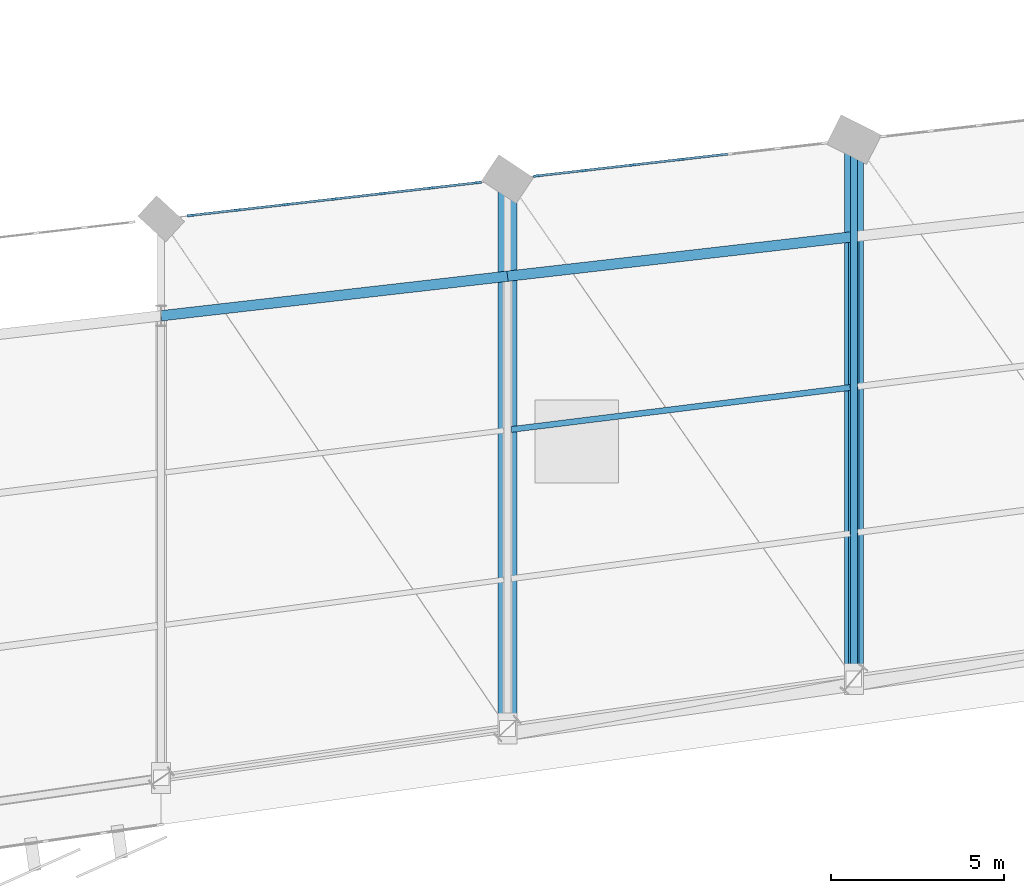
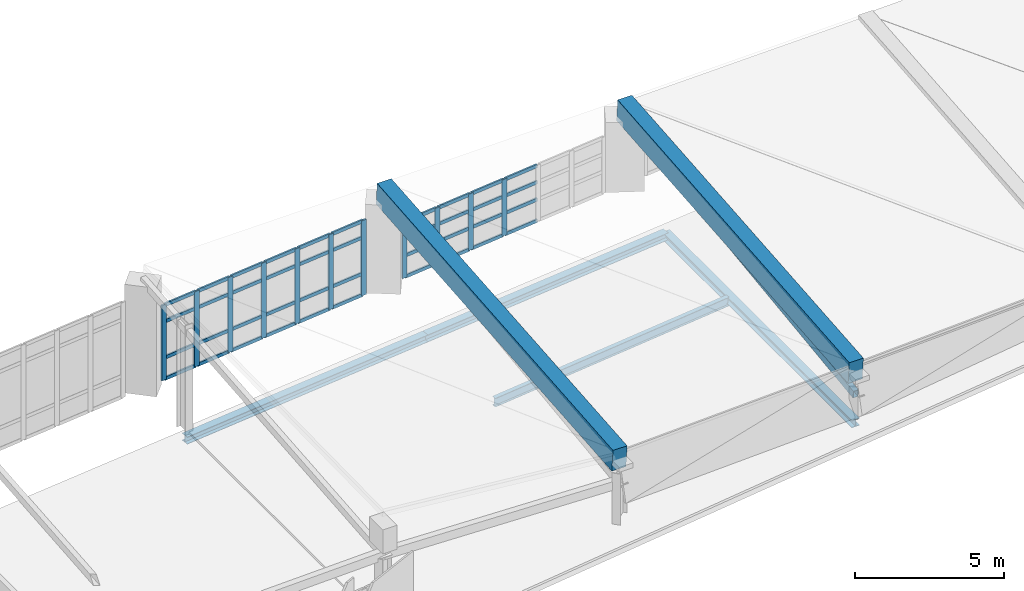
# One storey, part 25 of 67: 52 members, 6 beams, 2 elements without a shape of their own.
"""IFC4 building model written with IfcOpenShell, lengths in metres."""

from ifc_helpers import new_model, si_unit, direction, frame, origin, origin_2d, place, context, subcontext, project, spatial, rectangle, hollow_rectangle, i_section, extrude, material, layer, layer_set, material_profile, profile_set, type_object, element, aggregate, save


model = new_model("IFC4")

# Units and contexts
model_context = context("Model", 3, precision=1e-05, world=origin(), true_north=direction((0.0, 1.0)))
body_context = subcontext(model_context, "Body", "Model", "MODEL_VIEW")
ifc_project = project(units=[si_unit("LENGTHUNIT", "METRE"), si_unit("AREAUNIT", "SQUARE_METRE"), si_unit("VOLUMEUNIT", "CUBIC_METRE"), si_unit("PLANEANGLEUNIT", "RADIAN"), si_unit("MASSUNIT", "GRAM", prefix="KILO")], contexts=[model_context])

# Site, building, storey
site_placement = place(None, origin())
site = spatial("IfcSite", under=ifc_project, at=site_placement, CompositionType="ELEMENT")
building_placement = place(site_placement, origin())
building = spatial("IfcBuilding", under=site, at=building_placement, Name="Sohan Crest Arena", CompositionType="ELEMENT")
storey_placement = place(building_placement, frame((0.0, 0.0, 22.5)))
storey = spatial("IfcBuildingStorey", under=building, at=storey_placement, Name="L05", CompositionType="ELEMENT", Elevation=22.5)

# Curtain wall, members
ifc_material_1 = material(Name="Thermally broken anodised aluminium", Category="aluminium")
ifc_layer = layer(ifc_material_1, 0.18994140625, Name="Thermally broken anodised aluminium")
ifc_layer_set = layer_set([ifc_layer], Name="Thermally broken anodised aluminium")
curtain_wall_type = type_object("IfcCurtainWallType", Name="ARC-CW05", PredefinedType="NOTDEFINED", material=ifc_layer_set)
curtain_wall_1_placement = place(storey_placement, origin())
curtain_wall_1 = element("IfcCurtainWall", 1, at=curtain_wall_1_placement, inside=storey, type_object=curtain_wall_type, Name="Unitised curtain wall CW-192", PredefinedType="NOTDEFINED")
ifc_material_profile_1 = material_profile(ifc_material_1, rectangle(XDim=0.070068359375, YDim=0.199951171875, at=origin_2d()), Name="ALU-MULL 70x200")
ifc_profile_set_1 = profile_set([ifc_material_profile_1], Name="Thermally broken anodised aluminium")
member_type_1 = type_object("IfcMemberType", Name="ARC-CW-ML03", PredefinedType="MULLION", material=ifc_profile_set_1)
member_1_placement = place(storey_placement, frame((128.849853515625, 50.52587890625, 0.0), z_axis=(0.0, 0.0, 1.0), x_axis=(-0.1134796354, 0.993540322458, 0.0)))
member_1 = element("IfcMember", 2, at=member_1_placement, type_object=member_type_1, Name="CW-192 mullion 1", PredefinedType="MULLION", context=body_context, shape_type="SweptSolid", body=[
    extrude(rectangle(XDim=0.070068359375, YDim=0.199951171875, at=origin_2d()), origin(), (0.0, 0.0, 1.0), 3.0849609375),
])
member_2_placement = place(storey_placement, frame((130.2099609375, 50.681396484375, 0.0), z_axis=(0.0, 0.0, 1.0), x_axis=(-0.1134796354, 0.993540322458, 0.0)))
member_2 = element("IfcMember", 3, at=member_2_placement, type_object=member_type_1, Name="CW-192 mullion 2", PredefinedType="MULLION", context=body_context, shape_type="SweptSolid", body=[
    extrude(rectangle(XDim=0.070068359375, YDim=0.199951171875, at=origin_2d()), origin(), (0.0, 0.0, 1.0), 3.0849609375),
])
member_3_placement = place(storey_placement, frame((131.60498046875, 50.840576171875, 0.0), z_axis=(0.0, 0.0, 1.0), x_axis=(-0.1134796354, 0.993540322458, 0.0)))
member_3 = element("IfcMember", 4, at=member_3_placement, type_object=member_type_1, Name="CW-192 mullion 3", PredefinedType="MULLION", context=body_context, shape_type="SweptSolid", body=[
    extrude(rectangle(XDim=0.070068359375, YDim=0.199951171875, at=origin_2d()), origin(), (0.0, 0.0, 1.0), 3.0849609375),
])
member_4_placement = place(storey_placement, frame((133.0, 51.0, 0.0), z_axis=(0.0, 0.0, 1.0), x_axis=(-0.1134796354, 0.993540322458, 0.0)))
member_4 = element("IfcMember", 5, at=member_4_placement, type_object=member_type_1, Name="CW-192 mullion 4", PredefinedType="MULLION", context=body_context, shape_type="SweptSolid", body=[
    extrude(rectangle(XDim=0.070068359375, YDim=0.199951171875, at=origin_2d()), origin(), (0.0, 0.0, 1.0), 3.0849609375),
])
member_5_placement = place(storey_placement, frame((134.39501953125, 51.159423828125, 0.0), z_axis=(0.0, 0.0, 1.0), x_axis=(-0.1134796354, 0.993540322458, 0.0)))
member_5 = element("IfcMember", 6, at=member_5_placement, type_object=member_type_1, Name="CW-192 mullion 5", PredefinedType="MULLION", context=body_context, shape_type="SweptSolid", body=[
    extrude(rectangle(XDim=0.070068359375, YDim=0.199951171875, at=origin_2d()), origin(), (0.0, 0.0, 1.0), 3.0849609375),
])
member_6_placement = place(storey_placement, frame((135.7900390625, 51.318603515625, 0.0), z_axis=(0.0, 0.0, 1.0), x_axis=(-0.1134796354, 0.993540322458, 0.0)))
member_6 = element("IfcMember", 7, at=member_6_placement, type_object=member_type_1, Name="CW-192 mullion 6", PredefinedType="MULLION", context=body_context, shape_type="SweptSolid", body=[
    extrude(rectangle(XDim=0.070068359375, YDim=0.199951171875, at=origin_2d()), origin(), (0.0, 0.0, 1.0), 3.0849609375),
])
member_7_placement = place(storey_placement, frame((137.150146484375, 51.47412109375, 0.0), z_axis=(0.0, 0.0, 1.0), x_axis=(-0.1134796354, 0.993540322458, 0.0)))
member_7 = element("IfcMember", 8, at=member_7_placement, type_object=member_type_1, Name="CW-192 mullion 7", PredefinedType="MULLION", context=body_context, shape_type="SweptSolid", body=[
    extrude(rectangle(XDim=0.070068359375, YDim=0.199951171875, at=origin_2d()), origin(), (0.0, 0.0, 1.0), 3.0849609375),
])

curtain_wall_2_placement = place(storey_placement, origin())
curtain_wall_2 = element("IfcCurtainWall", 9, at=curtain_wall_2_placement, inside=storey, type_object=curtain_wall_type, Name="Unitised curtain wall CW-193", PredefinedType="NOTDEFINED")
member_8_placement = place(storey_placement, frame((138.849853515625, 51.66796875, 0.0), z_axis=(0.0, 0.0, 1.0), x_axis=(-0.11359680696, 0.993526932422, 0.0)))
member_8 = element("IfcMember", 10, at=member_8_placement, type_object=member_type_1, Name="CW-193 mullion 1", PredefinedType="MULLION", context=body_context, shape_type="SweptSolid", body=[
    extrude(rectangle(XDim=0.070068359375, YDim=0.199951171875, at=origin_2d()), origin(), (0.0, 0.0, 1.0), 2.31298828125),
])
member_9_placement = place(storey_placement, frame((140.2099609375, 51.823486328125, 0.0), z_axis=(0.0, 0.0, 1.0), x_axis=(-0.11359680696, 0.993526932422, 0.0)))
member_9 = element("IfcMember", 11, at=member_9_placement, type_object=member_type_1, Name="CW-193 mullion 2", PredefinedType="MULLION", context=body_context, shape_type="SweptSolid", body=[
    extrude(rectangle(XDim=0.070068359375, YDim=0.199951171875, at=origin_2d()), origin(), (0.0, 0.0, 1.0), 2.31298828125),
])
member_10_placement = place(storey_placement, frame((141.60498046875, 51.98291015625, 0.0), z_axis=(0.0, 0.0, 1.0), x_axis=(-0.11359680696, 0.993526932422, 0.0)))
member_10 = element("IfcMember", 12, at=member_10_placement, type_object=member_type_1, Name="CW-193 mullion 3", PredefinedType="MULLION", context=body_context, shape_type="SweptSolid", body=[
    extrude(rectangle(XDim=0.070068359375, YDim=0.199951171875, at=origin_2d()), origin(), (0.0, 0.0, 1.0), 2.31298828125),
])
member_11_placement = place(storey_placement, frame((143.0, 52.142578125, 0.0), z_axis=(0.0, 0.0, 1.0), x_axis=(-0.11359680696, 0.993526932422, 0.0)))
member_11 = element("IfcMember", 13, at=member_11_placement, type_object=member_type_1, Name="CW-193 mullion 4", PredefinedType="MULLION", context=body_context, shape_type="SweptSolid", body=[
    extrude(rectangle(XDim=0.070068359375, YDim=0.199951171875, at=origin_2d()), origin(), (0.0, 0.0, 1.0), 2.31298828125),
])

# Member
ifc_material_profile_2 = material_profile(ifc_material_1, rectangle(XDim=0.06494140625, YDim=0.139892578125, at=origin_2d()), Name="ALU-TRAN 65x140")
ifc_profile_set_2 = profile_set([ifc_material_profile_2], Name="Thermally broken anodised aluminium")
member_type_2 = type_object("IfcMemberType", Name="ARC-CW-TR02", PredefinedType="USERDEFINED", material=ifc_profile_set_2)
member_12_placement = place(storey_placement, frame((128.884521484375, 50.530029296875, 0.032470703125), z_axis=(0.993558692508, 0.113318685754, 0.0), x_axis=(-0.113318685754, 0.993558692508, 0.0)))
member_12 = element("IfcMember", 14, at=member_12_placement, type_object=member_type_2, Name="CW-192 transom 1.1", ObjectType="TRANSOM", PredefinedType="USERDEFINED", context=body_context, shape_type="SweptSolid", body=[
    extrude(rectangle(XDim=0.06494140625, YDim=0.139892578125, at=origin_2d()), origin(), (0.0, 0.0, 1.0), 1.299072265625),
])

member_13_placement = place(storey_placement, frame((128.884521484375, 50.530029296875, 0.89990234375), z_axis=(0.993558692508, 0.113318685754, 0.0), x_axis=(-0.113318685754, 0.993558692508, 0.0)))
member_13 = element("IfcMember", 15, at=member_13_placement, type_object=member_type_2, Name="CW-192 transom 1.2", ObjectType="TRANSOM", PredefinedType="USERDEFINED", context=body_context, shape_type="SweptSolid", body=[
    extrude(rectangle(XDim=0.06494140625, YDim=0.139892578125, at=origin_2d()), origin(), (0.0, 0.0, 1.0), 1.299072265625),
])

member_14_placement = place(storey_placement, frame((128.884521484375, 50.530029296875, 2.385009765625), z_axis=(0.993558692508, 0.113318685754, 0.0), x_axis=(-0.113318685754, 0.993558692508, 0.0)))
member_14 = element("IfcMember", 16, at=member_14_placement, type_object=member_type_2, Name="CW-192 transom 1.3", ObjectType="TRANSOM", PredefinedType="USERDEFINED", context=body_context, shape_type="SweptSolid", body=[
    extrude(rectangle(XDim=0.06494140625, YDim=0.139892578125, at=origin_2d()), origin(), (0.0, 0.0, 1.0), 1.299072265625),
])

member_15_placement = place(storey_placement, frame((128.884521484375, 50.530029296875, 3.052490234375), z_axis=(0.993558692508, 0.113318685754, 0.0), x_axis=(-0.113318685754, 0.993558692508, 0.0)))
member_15 = element("IfcMember", 17, at=member_15_placement, type_object=member_type_2, Name="CW-192 transom 1.4", ObjectType="TRANSOM", PredefinedType="USERDEFINED", context=body_context, shape_type="SweptSolid", body=[
    extrude(rectangle(XDim=0.06494140625, YDim=0.139892578125, at=origin_2d()), origin(), (0.0, 0.0, 1.0), 1.299072265625),
])

member_16_placement = place(storey_placement, frame((130.244873046875, 50.685302734375, 0.032470703125), z_axis=(0.993542107108, 0.113464009285, 0.0), x_axis=(-0.113464009285, 0.993542107108, 0.0)))
member_16 = element("IfcMember", 18, at=member_16_placement, type_object=member_type_2, Name="CW-192 transom 2.1", ObjectType="TRANSOM", PredefinedType="USERDEFINED", context=body_context, shape_type="SweptSolid", body=[
    extrude(rectangle(XDim=0.06494140625, YDim=0.139892578125, at=origin_2d()), origin(), (0.0, 0.0, 1.0), 1.333984375),
])

member_17_placement = place(storey_placement, frame((130.244873046875, 50.685302734375, 0.89990234375), z_axis=(0.993542107108, 0.113464009285, 0.0), x_axis=(-0.113464009285, 0.993542107108, 0.0)))
member_17 = element("IfcMember", 19, at=member_17_placement, type_object=member_type_2, Name="CW-192 transom 2.2", ObjectType="TRANSOM", PredefinedType="USERDEFINED", context=body_context, shape_type="SweptSolid", body=[
    extrude(rectangle(XDim=0.06494140625, YDim=0.139892578125, at=origin_2d()), origin(), (0.0, 0.0, 1.0), 1.333984375),
])

member_18_placement = place(storey_placement, frame((130.244873046875, 50.685302734375, 2.385009765625), z_axis=(0.993542107108, 0.113464009285, 0.0), x_axis=(-0.113464009285, 0.993542107108, 0.0)))
member_18 = element("IfcMember", 20, at=member_18_placement, type_object=member_type_2, Name="CW-192 transom 2.3", ObjectType="TRANSOM", PredefinedType="USERDEFINED", context=body_context, shape_type="SweptSolid", body=[
    extrude(rectangle(XDim=0.06494140625, YDim=0.139892578125, at=origin_2d()), origin(), (0.0, 0.0, 1.0), 1.333984375),
])

member_19_placement = place(storey_placement, frame((130.244873046875, 50.685302734375, 3.052490234375), z_axis=(0.993542107108, 0.113464009285, 0.0), x_axis=(-0.113464009285, 0.993542107108, 0.0)))
member_19 = element("IfcMember", 21, at=member_19_placement, type_object=member_type_2, Name="CW-192 transom 2.4", ObjectType="TRANSOM", PredefinedType="USERDEFINED", context=body_context, shape_type="SweptSolid", body=[
    extrude(rectangle(XDim=0.06494140625, YDim=0.139892578125, at=origin_2d()), origin(), (0.0, 0.0, 1.0), 1.333984375),
])

member_20_placement = place(storey_placement, frame((131.639892578125, 50.8447265625, 0.032470703125), z_axis=(0.993542107108, 0.113464009285, 0.0), x_axis=(-0.113464009285, 0.993542107108, 0.0)))
member_20 = element("IfcMember", 22, at=member_20_placement, type_object=member_type_2, Name="CW-192 transom 3.1", ObjectType="TRANSOM", PredefinedType="USERDEFINED", context=body_context, shape_type="SweptSolid", body=[
    extrude(rectangle(XDim=0.06494140625, YDim=0.139892578125, at=origin_2d()), origin(), (0.0, 0.0, 1.0), 1.333984375),
])

member_21_placement = place(storey_placement, frame((131.639892578125, 50.8447265625, 0.89990234375), z_axis=(0.993542107108, 0.113464009285, 0.0), x_axis=(-0.113464009285, 0.993542107108, 0.0)))
member_21 = element("IfcMember", 23, at=member_21_placement, type_object=member_type_2, Name="CW-192 transom 3.2", ObjectType="TRANSOM", PredefinedType="USERDEFINED", context=body_context, shape_type="SweptSolid", body=[
    extrude(rectangle(XDim=0.06494140625, YDim=0.139892578125, at=origin_2d()), origin(), (0.0, 0.0, 1.0), 1.333984375),
])

member_22_placement = place(storey_placement, frame((131.639892578125, 50.8447265625, 2.385009765625), z_axis=(0.993542107108, 0.113464009285, 0.0), x_axis=(-0.113464009285, 0.993542107108, 0.0)))
member_22 = element("IfcMember", 24, at=member_22_placement, type_object=member_type_2, Name="CW-192 transom 3.3", ObjectType="TRANSOM", PredefinedType="USERDEFINED", context=body_context, shape_type="SweptSolid", body=[
    extrude(rectangle(XDim=0.06494140625, YDim=0.139892578125, at=origin_2d()), origin(), (0.0, 0.0, 1.0), 1.333984375),
])

member_23_placement = place(storey_placement, frame((131.639892578125, 50.8447265625, 3.052490234375), z_axis=(0.993542107108, 0.113464009285, 0.0), x_axis=(-0.113464009285, 0.993542107108, 0.0)))
member_23 = element("IfcMember", 25, at=member_23_placement, type_object=member_type_2, Name="CW-192 transom 3.4", ObjectType="TRANSOM", PredefinedType="USERDEFINED", context=body_context, shape_type="SweptSolid", body=[
    extrude(rectangle(XDim=0.06494140625, YDim=0.139892578125, at=origin_2d()), origin(), (0.0, 0.0, 1.0), 1.333984375),
])

member_24_placement = place(storey_placement, frame((133.03466796875, 51.00390625, 0.032470703125), z_axis=(0.993542107108, 0.113464009285, 0.0), x_axis=(-0.113464009285, 0.993542107108, 0.0)))
member_24 = element("IfcMember", 26, at=member_24_placement, type_object=member_type_2, Name="CW-192 transom 4.1", ObjectType="TRANSOM", PredefinedType="USERDEFINED", context=body_context, shape_type="SweptSolid", body=[
    extrude(rectangle(XDim=0.06494140625, YDim=0.139892578125, at=origin_2d()), origin(), (0.0, 0.0, 1.0), 1.333984375),
])

member_25_placement = place(storey_placement, frame((133.03466796875, 51.00390625, 0.89990234375), z_axis=(0.993542107108, 0.113464009285, 0.0), x_axis=(-0.113464009285, 0.993542107108, 0.0)))
member_25 = element("IfcMember", 27, at=member_25_placement, type_object=member_type_2, Name="CW-192 transom 4.2", ObjectType="TRANSOM", PredefinedType="USERDEFINED", context=body_context, shape_type="SweptSolid", body=[
    extrude(rectangle(XDim=0.06494140625, YDim=0.139892578125, at=origin_2d()), origin(), (0.0, 0.0, 1.0), 1.333984375),
])

member_26_placement = place(storey_placement, frame((133.03466796875, 51.00390625, 2.385009765625), z_axis=(0.993542107108, 0.113464009285, 0.0), x_axis=(-0.113464009285, 0.993542107108, 0.0)))
member_26 = element("IfcMember", 28, at=member_26_placement, type_object=member_type_2, Name="CW-192 transom 4.3", ObjectType="TRANSOM", PredefinedType="USERDEFINED", context=body_context, shape_type="SweptSolid", body=[
    extrude(rectangle(XDim=0.06494140625, YDim=0.139892578125, at=origin_2d()), origin(), (0.0, 0.0, 1.0), 1.333984375),
])

member_27_placement = place(storey_placement, frame((133.03466796875, 51.00390625, 3.052490234375), z_axis=(0.993542107108, 0.113464009285, 0.0), x_axis=(-0.113464009285, 0.993542107108, 0.0)))
member_27 = element("IfcMember", 29, at=member_27_placement, type_object=member_type_2, Name="CW-192 transom 4.4", ObjectType="TRANSOM", PredefinedType="USERDEFINED", context=body_context, shape_type="SweptSolid", body=[
    extrude(rectangle(XDim=0.06494140625, YDim=0.139892578125, at=origin_2d()), origin(), (0.0, 0.0, 1.0), 1.333984375),
])

member_28_placement = place(storey_placement, frame((134.4296875, 51.163330078125, 0.032470703125), z_axis=(0.993542107108, 0.113464009285, 0.0), x_axis=(-0.113464009285, 0.993542107108, 0.0)))
member_28 = element("IfcMember", 30, at=member_28_placement, type_object=member_type_2, Name="CW-192 transom 5.1", ObjectType="TRANSOM", PredefinedType="USERDEFINED", context=body_context, shape_type="SweptSolid", body=[
    extrude(rectangle(XDim=0.06494140625, YDim=0.139892578125, at=origin_2d()), origin(), (0.0, 0.0, 1.0), 1.333984375),
])

member_29_placement = place(storey_placement, frame((134.4296875, 51.163330078125, 0.89990234375), z_axis=(0.993542107108, 0.113464009285, 0.0), x_axis=(-0.113464009285, 0.993542107108, 0.0)))
member_29 = element("IfcMember", 31, at=member_29_placement, type_object=member_type_2, Name="CW-192 transom 5.2", ObjectType="TRANSOM", PredefinedType="USERDEFINED", context=body_context, shape_type="SweptSolid", body=[
    extrude(rectangle(XDim=0.06494140625, YDim=0.139892578125, at=origin_2d()), origin(), (0.0, 0.0, 1.0), 1.333984375),
])

member_30_placement = place(storey_placement, frame((134.4296875, 51.163330078125, 2.385009765625), z_axis=(0.993542107108, 0.113464009285, 0.0), x_axis=(-0.113464009285, 0.993542107108, 0.0)))
member_30 = element("IfcMember", 32, at=member_30_placement, type_object=member_type_2, Name="CW-192 transom 5.3", ObjectType="TRANSOM", PredefinedType="USERDEFINED", context=body_context, shape_type="SweptSolid", body=[
    extrude(rectangle(XDim=0.06494140625, YDim=0.139892578125, at=origin_2d()), origin(), (0.0, 0.0, 1.0), 1.333984375),
])

member_31_placement = place(storey_placement, frame((134.4296875, 51.163330078125, 3.052490234375), z_axis=(0.993542107108, 0.113464009285, 0.0), x_axis=(-0.113464009285, 0.993542107108, 0.0)))
member_31 = element("IfcMember", 33, at=member_31_placement, type_object=member_type_2, Name="CW-192 transom 5.4", ObjectType="TRANSOM", PredefinedType="USERDEFINED", context=body_context, shape_type="SweptSolid", body=[
    extrude(rectangle(XDim=0.06494140625, YDim=0.139892578125, at=origin_2d()), origin(), (0.0, 0.0, 1.0), 1.333984375),
])

member_32_placement = place(storey_placement, frame((135.82470703125, 51.32275390625, 0.032470703125), z_axis=(0.993558692508, 0.113318685754, 0.0), x_axis=(-0.113318685754, 0.993558692508, 0.0)))
member_32 = element("IfcMember", 34, at=member_32_placement, type_object=member_type_2, Name="CW-192 transom 6.1", ObjectType="TRANSOM", PredefinedType="USERDEFINED", context=body_context, shape_type="SweptSolid", body=[
    extrude(rectangle(XDim=0.06494140625, YDim=0.139892578125, at=origin_2d()), origin(), (0.0, 0.0, 1.0), 1.299072265625),
])

member_33_placement = place(storey_placement, frame((135.82470703125, 51.32275390625, 0.89990234375), z_axis=(0.993558692508, 0.113318685754, 0.0), x_axis=(-0.113318685754, 0.993558692508, 0.0)))
member_33 = element("IfcMember", 35, at=member_33_placement, type_object=member_type_2, Name="CW-192 transom 6.2", ObjectType="TRANSOM", PredefinedType="USERDEFINED", context=body_context, shape_type="SweptSolid", body=[
    extrude(rectangle(XDim=0.06494140625, YDim=0.139892578125, at=origin_2d()), origin(), (0.0, 0.0, 1.0), 1.299072265625),
])

member_34_placement = place(storey_placement, frame((135.82470703125, 51.32275390625, 2.385009765625), z_axis=(0.993558692508, 0.113318685754, 0.0), x_axis=(-0.113318685754, 0.993558692508, 0.0)))
member_34 = element("IfcMember", 36, at=member_34_placement, type_object=member_type_2, Name="CW-192 transom 6.3", ObjectType="TRANSOM", PredefinedType="USERDEFINED", context=body_context, shape_type="SweptSolid", body=[
    extrude(rectangle(XDim=0.06494140625, YDim=0.139892578125, at=origin_2d()), origin(), (0.0, 0.0, 1.0), 1.299072265625),
])

member_35_placement = place(storey_placement, frame((135.82470703125, 51.32275390625, 3.052490234375), z_axis=(0.993558692508, 0.113318685754, 0.0), x_axis=(-0.113318685754, 0.993558692508, 0.0)))
member_35 = element("IfcMember", 37, at=member_35_placement, type_object=member_type_2, Name="CW-192 transom 6.4", ObjectType="TRANSOM", PredefinedType="USERDEFINED", context=body_context, shape_type="SweptSolid", body=[
    extrude(rectangle(XDim=0.06494140625, YDim=0.139892578125, at=origin_2d()), origin(), (0.0, 0.0, 1.0), 1.299072265625),
])

aggregate(curtain_wall_1, [member_1, member_2, member_3, member_4, member_5, member_6, member_7, member_12, member_13, member_14, member_15, member_16, member_17, member_18, member_19, member_20, member_21, member_22, member_23, member_24, member_25, member_26, member_27, member_28, member_29, member_30, member_31, member_32, member_33, member_34, member_35])

member_36_placement = place(storey_placement, frame((138.884521484375, 51.671875, 0.032470703125), z_axis=(0.99351630859, 0.113689685398, 0.0), x_axis=(-0.113689685398, 0.99351630859, 0.0)))
member_36 = element("IfcMember", 38, at=member_36_placement, type_object=member_type_2, Name="CW-193 transom 1.1", ObjectType="TRANSOM", PredefinedType="USERDEFINED", context=body_context, shape_type="SweptSolid", body=[
    extrude(rectangle(XDim=0.06494140625, YDim=0.139892578125, at=origin_2d()), origin(), (0.0, 0.0, 1.0), 1.29931640625),
])

member_37_placement = place(storey_placement, frame((138.884521484375, 51.671875, 0.89990234375), z_axis=(0.99351630859, 0.113689685398, 0.0), x_axis=(-0.113689685398, 0.99351630859, 0.0)))
member_37 = element("IfcMember", 39, at=member_37_placement, type_object=member_type_2, Name="CW-193 transom 1.2", ObjectType="TRANSOM", PredefinedType="USERDEFINED", context=body_context, shape_type="SweptSolid", body=[
    extrude(rectangle(XDim=0.06494140625, YDim=0.139892578125, at=origin_2d()), origin(), (0.0, 0.0, 1.0), 1.29931640625),
])

member_38_placement = place(storey_placement, frame((138.884521484375, 51.671875, 1.613037109375), z_axis=(0.99351630859, 0.113689685398, 0.0), x_axis=(-0.113689685398, 0.99351630859, 0.0)))
member_38 = element("IfcMember", 40, at=member_38_placement, type_object=member_type_2, Name="CW-193 transom 1.3", ObjectType="TRANSOM", PredefinedType="USERDEFINED", context=body_context, shape_type="SweptSolid", body=[
    extrude(rectangle(XDim=0.06494140625, YDim=0.139892578125, at=origin_2d()), origin(), (0.0, 0.0, 1.0), 1.29931640625),
])

member_39_placement = place(storey_placement, frame((138.884521484375, 51.671875, 2.280517578125), z_axis=(0.99351630859, 0.113689685398, 0.0), x_axis=(-0.113689685398, 0.99351630859, 0.0)))
member_39 = element("IfcMember", 41, at=member_39_placement, type_object=member_type_2, Name="CW-193 transom 1.4", ObjectType="TRANSOM", PredefinedType="USERDEFINED", context=body_context, shape_type="SweptSolid", body=[
    extrude(rectangle(XDim=0.06494140625, YDim=0.139892578125, at=origin_2d()), origin(), (0.0, 0.0, 1.0), 1.29931640625),
])

member_40_placement = place(storey_placement, frame((140.244873046875, 51.827392578125, 0.032470703125), z_axis=(0.993521460563, 0.113644654082, 0.0), x_axis=(-0.113644654082, 0.993521460563, 0.0)))
member_40 = element("IfcMember", 42, at=member_40_placement, type_object=member_type_2, Name="CW-193 transom 2.1", ObjectType="TRANSOM", PredefinedType="USERDEFINED", context=body_context, shape_type="SweptSolid", body=[
    extrude(rectangle(XDim=0.06494140625, YDim=0.139892578125, at=origin_2d()), origin(), (0.0, 0.0, 1.0), 1.333984375),
])

member_41_placement = place(storey_placement, frame((140.244873046875, 51.827392578125, 0.89990234375), z_axis=(0.993521460563, 0.113644654082, 0.0), x_axis=(-0.113644654082, 0.993521460563, 0.0)))
member_41 = element("IfcMember", 43, at=member_41_placement, type_object=member_type_2, Name="CW-193 transom 2.2", ObjectType="TRANSOM", PredefinedType="USERDEFINED", context=body_context, shape_type="SweptSolid", body=[
    extrude(rectangle(XDim=0.06494140625, YDim=0.139892578125, at=origin_2d()), origin(), (0.0, 0.0, 1.0), 1.333984375),
])

member_42_placement = place(storey_placement, frame((140.244873046875, 51.827392578125, 1.613037109375), z_axis=(0.993521460563, 0.113644654082, 0.0), x_axis=(-0.113644654082, 0.993521460563, 0.0)))
member_42 = element("IfcMember", 44, at=member_42_placement, type_object=member_type_2, Name="CW-193 transom 2.3", ObjectType="TRANSOM", PredefinedType="USERDEFINED", context=body_context, shape_type="SweptSolid", body=[
    extrude(rectangle(XDim=0.06494140625, YDim=0.139892578125, at=origin_2d()), origin(), (0.0, 0.0, 1.0), 1.333984375),
])

member_43_placement = place(storey_placement, frame((140.244873046875, 51.827392578125, 2.280517578125), z_axis=(0.993521460563, 0.113644654082, 0.0), x_axis=(-0.113644654082, 0.993521460563, 0.0)))
member_43 = element("IfcMember", 45, at=member_43_placement, type_object=member_type_2, Name="CW-193 transom 2.4", ObjectType="TRANSOM", PredefinedType="USERDEFINED", context=body_context, shape_type="SweptSolid", body=[
    extrude(rectangle(XDim=0.06494140625, YDim=0.139892578125, at=origin_2d()), origin(), (0.0, 0.0, 1.0), 1.333984375),
])

member_44_placement = place(storey_placement, frame((141.639892578125, 51.987060546875, 0.032470703125), z_axis=(0.993542107108, 0.113464009285, 0.0), x_axis=(-0.113464009285, 0.993542107108, 0.0)))
member_44 = element("IfcMember", 46, at=member_44_placement, type_object=member_type_2, Name="CW-193 transom 3.1", ObjectType="TRANSOM", PredefinedType="USERDEFINED", context=body_context, shape_type="SweptSolid", body=[
    extrude(rectangle(XDim=0.06494140625, YDim=0.139892578125, at=origin_2d()), origin(), (0.0, 0.0, 1.0), 1.333984375),
])

member_45_placement = place(storey_placement, frame((141.639892578125, 51.987060546875, 0.89990234375), z_axis=(0.993542107108, 0.113464009285, 0.0), x_axis=(-0.113464009285, 0.993542107108, 0.0)))
member_45 = element("IfcMember", 47, at=member_45_placement, type_object=member_type_2, Name="CW-193 transom 3.2", ObjectType="TRANSOM", PredefinedType="USERDEFINED", context=body_context, shape_type="SweptSolid", body=[
    extrude(rectangle(XDim=0.06494140625, YDim=0.139892578125, at=origin_2d()), origin(), (0.0, 0.0, 1.0), 1.333984375),
])

member_46_placement = place(storey_placement, frame((141.639892578125, 51.987060546875, 1.613037109375), z_axis=(0.993542107108, 0.113464009285, 0.0), x_axis=(-0.113464009285, 0.993542107108, 0.0)))
member_46 = element("IfcMember", 48, at=member_46_placement, type_object=member_type_2, Name="CW-193 transom 3.3", ObjectType="TRANSOM", PredefinedType="USERDEFINED", context=body_context, shape_type="SweptSolid", body=[
    extrude(rectangle(XDim=0.06494140625, YDim=0.139892578125, at=origin_2d()), origin(), (0.0, 0.0, 1.0), 1.333984375),
])

member_47_placement = place(storey_placement, frame((141.639892578125, 51.987060546875, 2.280517578125), z_axis=(0.993542107108, 0.113464009285, 0.0), x_axis=(-0.113464009285, 0.993542107108, 0.0)))
member_47 = element("IfcMember", 49, at=member_47_placement, type_object=member_type_2, Name="CW-193 transom 3.4", ObjectType="TRANSOM", PredefinedType="USERDEFINED", context=body_context, shape_type="SweptSolid", body=[
    extrude(rectangle(XDim=0.06494140625, YDim=0.139892578125, at=origin_2d()), origin(), (0.0, 0.0, 1.0), 1.333984375),
])

member_48_placement = place(storey_placement, frame((143.03466796875, 52.146484375, 0.032470703125), z_axis=(0.993521460563, 0.113644654082, 0.0), x_axis=(-0.113644654082, 0.993521460563, 0.0)))
member_48 = element("IfcMember", 50, at=member_48_placement, type_object=member_type_2, Name="CW-193 transom 4.1", ObjectType="TRANSOM", PredefinedType="USERDEFINED", context=body_context, shape_type="SweptSolid", body=[
    extrude(rectangle(XDim=0.06494140625, YDim=0.139892578125, at=origin_2d()), origin(), (0.0, 0.0, 1.0), 1.333984375),
])

member_49_placement = place(storey_placement, frame((143.03466796875, 52.146484375, 0.89990234375), z_axis=(0.993521460563, 0.113644654082, 0.0), x_axis=(-0.113644654082, 0.993521460563, 0.0)))
member_49 = element("IfcMember", 51, at=member_49_placement, type_object=member_type_2, Name="CW-193 transom 4.2", ObjectType="TRANSOM", PredefinedType="USERDEFINED", context=body_context, shape_type="SweptSolid", body=[
    extrude(rectangle(XDim=0.06494140625, YDim=0.139892578125, at=origin_2d()), origin(), (0.0, 0.0, 1.0), 1.333984375),
])

member_50_placement = place(storey_placement, frame((143.03466796875, 52.146484375, 1.613037109375), z_axis=(0.993521460563, 0.113644654082, 0.0), x_axis=(-0.113644654082, 0.993521460563, 0.0)))
member_50 = element("IfcMember", 52, at=member_50_placement, type_object=member_type_2, Name="CW-193 transom 4.3", ObjectType="TRANSOM", PredefinedType="USERDEFINED", context=body_context, shape_type="SweptSolid", body=[
    extrude(rectangle(XDim=0.06494140625, YDim=0.139892578125, at=origin_2d()), origin(), (0.0, 0.0, 1.0), 1.333984375),
])

member_51_placement = place(storey_placement, frame((143.03466796875, 52.146484375, 2.280517578125), z_axis=(0.993521460563, 0.113644654082, 0.0), x_axis=(-0.113644654082, 0.993521460563, 0.0)))
member_51 = element("IfcMember", 53, at=member_51_placement, type_object=member_type_2, Name="CW-193 transom 4.4", ObjectType="TRANSOM", PredefinedType="USERDEFINED", context=body_context, shape_type="SweptSolid", body=[
    extrude(rectangle(XDim=0.06494140625, YDim=0.139892578125, at=origin_2d()), origin(), (0.0, 0.0, 1.0), 1.333984375),
])

aggregate(curtain_wall_2, [member_8, member_9, member_10, member_11, member_36, member_37, member_38, member_39, member_40, member_41, member_42, member_43, member_44, member_45, member_46, member_47, member_48, member_49, member_50, member_51])

# Beams
ifc_material_2 = material(Name="Steel S355", Category="steel")
ifc_material_profile_3 = material_profile(ifc_material_2, i_section(OverallWidth=0.169921875, OverallDepth=0.360107421875, WebThickness=0.008056640625, FlangeThickness=0.0126953125, at=origin_2d()), Name="IPE 360")
ifc_profile_set_3 = profile_set([ifc_material_profile_3], Name="Steel S355")
beam_type_1 = type_object("IfcBeamType", Name="STR-BM-B02", PredefinedType="JOIST", material=ifc_profile_set_3)
beam_1_placement = place(storey_placement, frame((138.10888671875, 44.345947265625, -0.39990234375), z_axis=(0.992409914467, 0.122973825131, 0.0), x_axis=(-0.122973825131, 0.992409914467, 0.0)))
element("IfcBeam", 54, at=beam_1_placement, inside=storey, type_object=beam_type_1, Name="Structural beam J-L05-1779", PredefinedType="JOIST", context=body_context, shape_type="SweptSolid", body=[
    extrude(i_section(OverallWidth=0.169921875, OverallDepth=0.360107421875, WebThickness=0.008056640625, FlangeThickness=0.0126953125, at=origin_2d()), origin(), (0.0, 0.0, 1.0), 9.85693359375),
])
ifc_material_profile_4 = material_profile(ifc_material_2, i_section(OverallWidth=0.300048828125, OverallDepth=0.300048828125, WebThickness=0.010986328125, FlangeThickness=0.01904296875, at=origin_2d()), Name="HEB 300")
ifc_profile_set_4 = profile_set([ifc_material_profile_4], Name="Steel S355")
beam_type_2 = type_object("IfcBeamType", Name="STR-BM-B12", PredefinedType="BEAM", material=ifc_profile_set_4)
beam_2_placement = place(storey_placement, frame((128.0, 47.62890625, -0.3701171875), z_axis=(0.993541269973, 0.113471339378, 0.0), x_axis=(-0.113471339378, 0.993541269973, 0.0)))
element("IfcBeam", 55, at=beam_2_placement, inside=storey, type_object=beam_type_2, Name="Structural beam G-L05-1772", PredefinedType="BEAM", context=body_context, shape_type="SweptSolid", body=[
    extrude(i_section(OverallWidth=0.300048828125, OverallDepth=0.300048828125, WebThickness=0.010986328125, FlangeThickness=0.01904296875, at=origin_2d()), origin(), (0.0, 0.0, 1.0), 10.06494140625),
])
beam_3_placement = place(storey_placement, frame((138.0, 48.77099609375, -0.3701171875), z_axis=(0.99353032697, 0.113567114035, 0.0), x_axis=(-0.113567114035, 0.99353032697, 0.0)))
element("IfcBeam", 56, at=beam_3_placement, inside=storey, type_object=beam_type_2, Name="Structural beam G-L05-1777", PredefinedType="BEAM", context=body_context, shape_type="SweptSolid", body=[
    extrude(i_section(OverallWidth=0.300048828125, OverallDepth=0.300048828125, WebThickness=0.010986328125, FlangeThickness=0.01904296875, at=origin_2d()), origin(), (0.0, 0.0, 1.0), 10.065185546875),
])
beam_4_placement = place(storey_placement, frame((148.0, 49.9140625, -0.3701171875), z_axis=(0.0, -1.0, 0.0), x_axis=(1.0, 0.0, 0.0)))
element("IfcBeam", 57, at=beam_4_placement, inside=storey, type_object=beam_type_2, Name="Structural beam G-L05-1781", PredefinedType="BEAM", context=body_context, shape_type="SweptSolid", body=[
    extrude(i_section(OverallWidth=0.300048828125, OverallDepth=0.300048828125, WebThickness=0.010986328125, FlangeThickness=0.01904296875, at=origin_2d()), origin(), (0.0, 0.0, 1.0), 12.77099609375),
])
ifc_material_3 = material(Name="Precast concrete C50/60", Category="concrete")
ifc_material_profile_5 = material_profile(ifc_material_3, rectangle(XDim=0.550048828125, YDim=0.89990234375, at=origin_2d()), Name="RAKER 550x900")
ifc_profile_set_5 = profile_set([ifc_material_profile_5], Name="Precast concrete C50/60")
beam_type_3 = type_object("IfcBeamType", Name="STR-BM-RK01", PredefinedType="USERDEFINED", material=ifc_profile_set_5)
beam_5_placement = place(storey_placement, frame((138.0, 51.571044921875, 3.889892578125), z_axis=(0.0, -0.996396269502, -0.084820245944), x_axis=(1.0, 0.0, 0.0)))
element("IfcBeam", 58, at=beam_5_placement, inside=storey, type_object=beam_type_3, Name="Perimeter radial apron raker RKB-17", ObjectType="RAKER", PredefinedType="USERDEFINED", context=body_context, shape_type="SweptSolid", body=[
    extrude(rectangle(XDim=0.550048828125, YDim=0.89990234375, at=origin_2d()), origin(), (0.0, 0.0, 1.0), 15.914306640625),
])
beam_6_placement = place(storey_placement, frame((148.0, 52.714111328125, 3.123046875), z_axis=(0.0, -0.996262127134, -0.08638156075), x_axis=(1.0, 0.0, 0.0)))
element("IfcBeam", 59, at=beam_6_placement, inside=storey, type_object=beam_type_3, Name="Perimeter radial apron raker RKB-18", ObjectType="RAKER", PredefinedType="USERDEFINED", context=body_context, shape_type="SweptSolid", body=[
    extrude(rectangle(XDim=0.550048828125, YDim=0.89990234375, at=origin_2d()), origin(), (0.0, 0.0, 1.0), 15.62939453125),
])

# Member
ifc_material_profile_6 = material_profile(ifc_material_2, hollow_rectangle(XDim=0.199951171875, YDim=0.300048828125, WallThickness=0.010009765625, at=origin_2d()), Name="RHS 300x200x10")
ifc_profile_set_6 = profile_set([ifc_material_profile_6], Name="Steel S355")
member_type_3 = type_object("IfcMemberType", Name="STR-MEM-CH03", PredefinedType="CHORD", material=ifc_profile_set_6)
member_52_placement = place(storey_placement, frame((148.0, 52.714111328125, 2.873046875), z_axis=(0.0, -0.991444186734, -0.130531316515), x_axis=(1.0, 0.0, 0.0)))
element("IfcMember", 60, at=member_52_placement, inside=storey, type_object=member_type_3, Name="Outer roof-edge radial tie chord ORT-18", PredefinedType="CHORD", context=body_context, shape_type="SweptSolid", body=[
    extrude(hollow_rectangle(XDim=0.199951171875, YDim=0.300048828125, WallThickness=0.010009765625, at=origin_2d()), origin(), (0.0, 0.0, 1.0), 15.705322265625),
])

save(model, "model.ifc")
